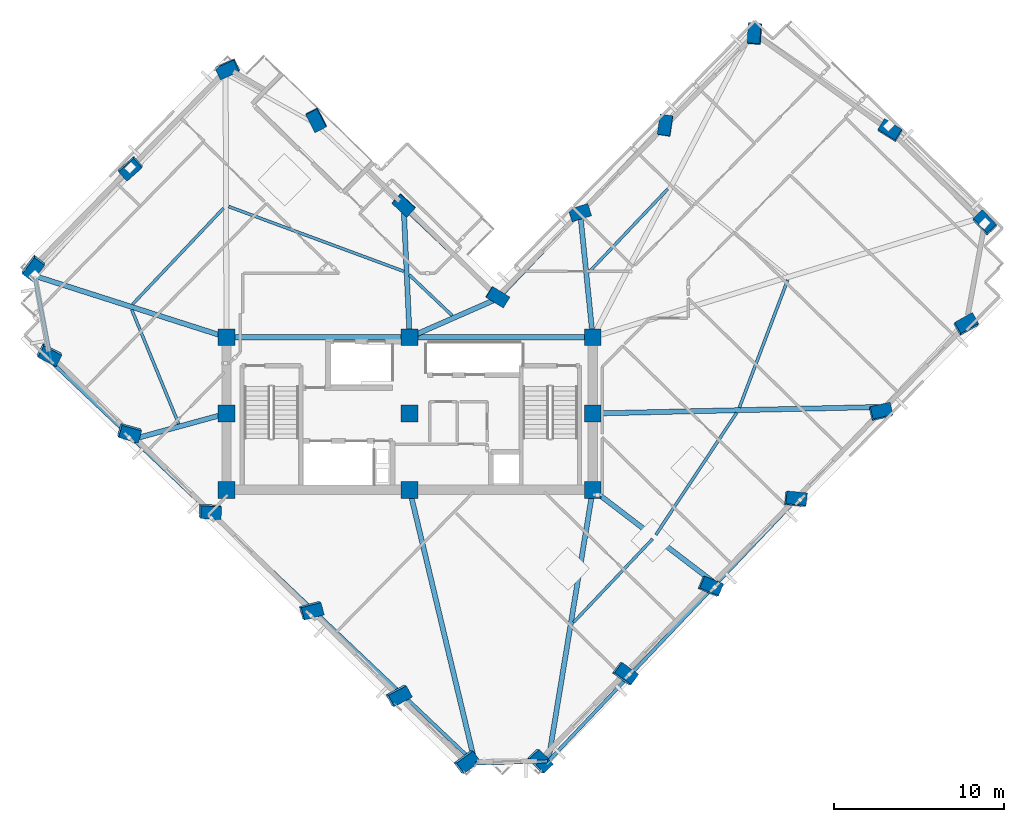
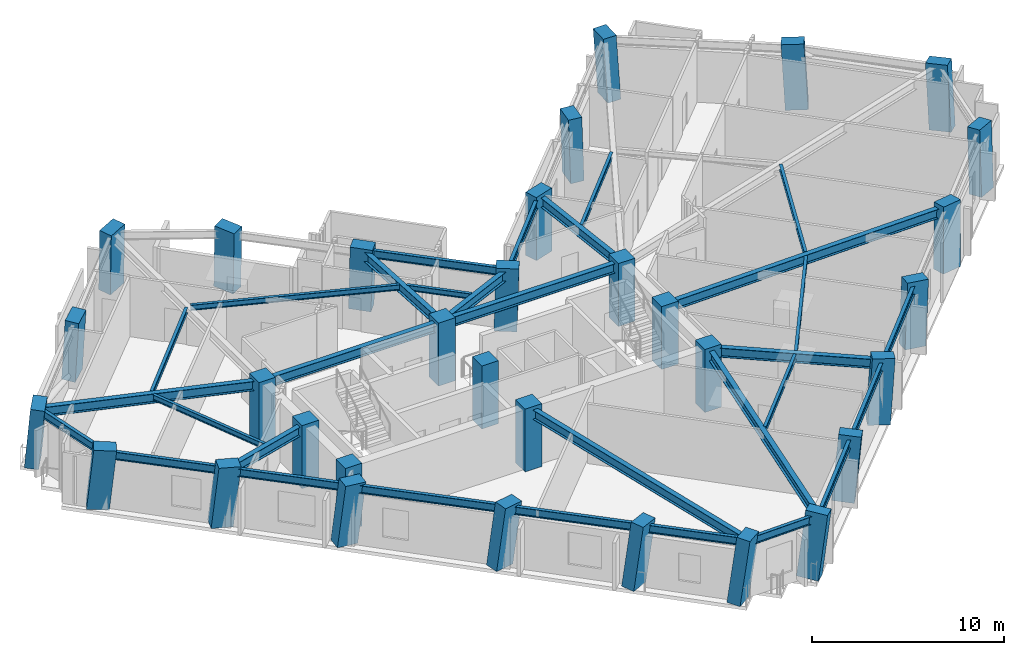
# One storey, part 1 of 12: 32 columns, 31 beams.
"""IFC4 building model written with IfcOpenShell, lengths in metres."""

from ifc_helpers import new_model, si_unit, direction, frame, origin, origin_2d, place, context, subcontext, project, spatial, rectangle, i_section, extrude, material, material_profile, profile_set, type_object, element, save


model = new_model("IFC4")

# Units and contexts
model_context = context("Model", 3, precision=1e-05, world=origin(), true_north=direction((0.0, 1.0)))
body_context = subcontext(model_context, "Body", "Model", "MODEL_VIEW")
ifc_project = project(units=[si_unit("LENGTHUNIT", "METRE"), si_unit("AREAUNIT", "SQUARE_METRE"), si_unit("VOLUMEUNIT", "CUBIC_METRE"), si_unit("PLANEANGLEUNIT", "RADIAN"), si_unit("MASSUNIT", "GRAM", prefix="KILO")], contexts=[model_context])

# Site, building, storey
site_placement = place(None, origin())
site = spatial("IfcSite", under=ifc_project, at=site_placement, CompositionType="ELEMENT")
building_placement = place(site_placement, origin())
building = spatial("IfcBuilding", under=site, at=building_placement, Name="Gaonmaruhae Medical Tower", CompositionType="ELEMENT")
storey_placement = place(building_placement, frame((0.0, 0.0, 219.199951171875)))
storey = spatial("IfcBuildingStorey", under=building, at=storey_placement, Name="L52", CompositionType="ELEMENT", Elevation=219.199951171875)

# Columns
ifc_material_1 = material(Name="Concrete C50/60", Category="concrete")
ifc_material_profile_1 = material_profile(ifc_material_1, rectangle(XDim=1.0, YDim=1.0, at=origin_2d()), Name="RC-1000x1000")
ifc_profile_set_1 = profile_set([ifc_material_profile_1], Name="Concrete C50/60")
column_type_1 = type_object("IfcColumnType", Name="CC-05 Zone 4 Core Column (RC-1000x1000)", PredefinedType="COLUMN", material=ifc_profile_set_1)
for number, where, z_axis, x_axis, name in (
    (1, (14.0, 7.800048828125, 0.0), (0.0, 0.0, 1.0), (1.0, 0.0, 0.0), "L52 Plumb Core Column CC11"),
    (2, (14.0, 12.300048828125, 0.0), (0.0, 0.0, 1.0), (1.0, 0.0, 0.0), "L52 Plumb Core Column CC12"),
    (3, (14.0, 16.800048828125, 0.0), (0.0, 0.0, 1.0), (1.0, 0.0, 0.0), "L52 Plumb Core Column CC13"),
    (4, (24.800048828125, 7.800048828125, 0.0), (0.0, 0.0, 1.0), (1.0, 0.0, 0.0), "L52 Plumb Core Column CC21"),
    (5, (24.800048828125, 12.300048828125, 0.0), (0.0, 0.0, 1.0), (1.0, 0.0, 0.0), "L52 Plumb Core Column CC22"),
    (6, (24.800048828125, 16.800048828125, 0.0), (0.0, 0.0, 1.0), (1.0, 0.0, 0.0), "L52 Plumb Core Column CC23"),
    (7, (35.60009765625, 7.800048828125, 0.0), (0.0, 0.0, 1.0), (1.0, 0.0, 0.0), "L52 Plumb Core Column CC31"),
    (8, (35.60009765625, 12.300048828125, 0.0), (0.0, 0.0, 1.0), (1.0, 0.0, 0.0), "L52 Plumb Core Column CC32"),
    (9, (35.60009765625, 16.800048828125, 0.0), (0.0, 0.0, 1.0), (1.0, 0.0, 0.0), "L52 Plumb Core Column CC33"),
):
    element("IfcColumn", number, at=place(storey_placement, frame(where, z_axis=z_axis, x_axis=x_axis)), inside=storey, type_object=column_type_1, Name=name, PredefinedType="COLUMN", context=body_context, shape_type="SweptSolid", body=[
        extrude(rectangle(XDim=1.0, YDim=1.0, at=origin_2d()), origin(), (0.0, 0.0, 1.0), 4.0),
    ])
ifc_material_profile_2 = material_profile(ifc_material_1, rectangle(XDim=1.199951171875, YDim=0.75, at=origin_2d()), Name="RC-1200x750")
ifc_profile_set_2 = profile_set([ifc_material_profile_2], Name="Concrete C50/60")
column_type_2 = type_object("IfcColumnType", Name="TC-03 Upper Raking Tube Pier Column (RC-1200x750)", PredefinedType="COLUMN", material=ifc_profile_set_2)
column_1_placement = place(storey_placement, frame((32.425537109375, -8.20068359375, 0.001953125), z_axis=(0.135579538897, -0.003692121372, 0.990759585809), x_axis=(-0.68856205619, 0.718673744243, 0.096903787908)))
element("IfcColumn", 10, at=column_1_placement, inside=storey, type_object=column_type_2, Name="L52 Perimeter Tube Column S01", PredefinedType="COLUMN", context=body_context, shape_type="SweptSolid", body=[
    extrude(rectangle(XDim=1.199951171875, YDim=0.75, at=origin_2d()), origin(), (0.0, 0.0, 1.0), 4.03369140625),
])
column_2_placement = place(storey_placement, frame((37.463134765625, -3.056396484375, 0.001953125), z_axis=(0.114504152831, 0.016869186268, 0.993279532427), x_axis=(-0.804069108855, 0.588756921853, 0.082693138502)))
element("IfcColumn", 11, at=column_2_placement, inside=storey, type_object=column_type_2, Name="L52 Perimeter Tube Column S02", PredefinedType="COLUMN", context=body_context, shape_type="SweptSolid", body=[
    extrude(rectangle(XDim=1.199951171875, YDim=0.75, at=origin_2d()), origin(), (0.0, 0.0, 1.0), 4.0234375),
])
column_3_placement = place(storey_placement, frame((42.50048828125, 2.087890625, 0.001953125), z_axis=(0.093359989654, 0.037441245851, 0.994928170996), x_axis=(-0.92020095094, 0.384792535782, 0.071867338176)))
element("IfcColumn", 12, at=column_3_placement, inside=storey, type_object=column_type_2, Name="L52 Perimeter Tube Column S03", PredefinedType="COLUMN", context=body_context, shape_type="SweptSolid", body=[
    extrude(rectangle(XDim=1.199951171875, YDim=0.75, at=origin_2d()), origin(), (0.0, 0.0, 1.0), 4.0166015625),
])
column_4_placement = place(storey_placement, frame((47.5380859375, 7.232177734375, 0.001953125), z_axis=(0.07202153767, 0.058091696347, 0.995709924088), x_axis=(-0.992992369132, 0.097957283844, 0.066109949232)))
element("IfcColumn", 13, at=column_4_placement, inside=storey, type_object=column_type_2, Name="L52 Perimeter Tube Column S04", PredefinedType="COLUMN", context=body_context, shape_type="SweptSolid", body=[
    extrude(rectangle(XDim=1.199951171875, YDim=0.75, at=origin_2d()), origin(), (0.0, 0.0, 1.0), 4.013671875),
])
column_5_placement = place(storey_placement, frame((52.57568359375, 12.376220703125, 0.001953125), z_axis=(0.05060454574, 0.078765488863, 0.995607943778), x_axis=(-0.973141214407, -0.220277069584, 0.066889382094)))
element("IfcColumn", 14, at=column_5_placement, inside=storey, type_object=column_type_2, Name="L52 Perimeter Tube Column S05", PredefinedType="COLUMN", context=body_context, shape_type="SweptSolid", body=[
    extrude(rectangle(XDim=1.199951171875, YDim=0.75, at=origin_2d()), origin(), (0.0, 0.0, 1.0), 4.013916015625),
])
column_6_placement = place(storey_placement, frame((57.61328125, 17.5205078125, 0.001953125), z_axis=(0.029166291589, 0.099286917616, 0.994631306276), x_axis=(-0.871590129907, -0.48462793103, 0.073935200785)))
element("IfcColumn", 15, at=column_6_placement, inside=storey, type_object=column_type_2, Name="L52 Perimeter Tube Column S06", PredefinedType="COLUMN", context=body_context, shape_type="SweptSolid", body=[
    extrude(rectangle(XDim=1.199951171875, YDim=0.75, at=origin_2d()), origin(), (0.0, 0.0, 1.0), 4.017822265625),
])
column_7_placement = place(storey_placement, frame((58.71728515625, 23.507568359375, 0.001953125), z_axis=(0.004435608601, 0.103598803637, 0.994609276682), x_axis=(0.684051209569, -0.725817015381, 0.07255069173)))
element("IfcColumn", 16, at=column_7_placement, inside=storey, type_object=column_type_2, Name="L52 Perimeter Tube Column E01", PredefinedType="COLUMN", context=body_context, shape_type="SweptSolid", body=[
    extrude(rectangle(XDim=1.199951171875, YDim=0.75, at=origin_2d()), origin(), (0.0, 0.0, 1.0), 4.01806640625),
])
column_8_placement = place(storey_placement, frame((53.144287109375, 28.96484375, 0.001953125), z_axis=(-0.017899445582, 0.080608387587, 0.99658511814), x_axis=(0.848634875968, -0.525814786708, 0.05777246204)))
element("IfcColumn", 17, at=column_8_placement, inside=storey, type_object=column_type_2, Name="L52 Perimeter Tube Column E02", PredefinedType="COLUMN", context=body_context, shape_type="SweptSolid", body=[
    extrude(rectangle(XDim=1.199951171875, YDim=0.75, at=origin_2d()), origin(), (0.0, 0.0, 1.0), 4.010009765625),
])
column_9_placement = place(storey_placement, frame((45.164306640625, 34.6796875, 0.001953125), z_axis=(-0.041276583012, 0.047556476735, 0.998015343176), x_axis=(-0.060997101317, -0.997123434669, 0.044991217634)))
element("IfcColumn", 18, at=column_9_placement, inside=storey, type_object=column_type_2, Name="L52 Perimeter Tube Column E03", PredefinedType="COLUMN", context=body_context, shape_type="SweptSolid", body=[
    extrude(rectangle(XDim=1.199951171875, YDim=0.75, at=origin_2d()), origin(), (0.0, 0.0, 1.0), 4.00439453125),
])
column_10_placement = place(storey_placement, frame((39.8818359375, 29.285400390625, 0.001953125), z_axis=(-0.018745380702, 0.025889385725, 0.999489044667), x_axis=(-0.147908439225, -0.988737361944, 0.022836871563)))
element("IfcColumn", 19, at=column_10_placement, inside=storey, type_object=column_type_2, Name="L52 Perimeter Tube Column EN01", PredefinedType="COLUMN", context=body_context, shape_type="SweptSolid", body=[
    extrude(rectangle(XDim=1.199951171875, YDim=0.75, at=origin_2d()), origin(), (0.0, 0.0, 1.0), 3.998291015625),
])
column_11_placement = place(storey_placement, frame((34.844482421875, 24.141357421875, 0.001953125), z_axis=(0.002687962717, 0.005131565187, 0.999983220807), x_axis=(-0.951298609313, -0.30824312721, 0.004138894343)))
element("IfcColumn", 20, at=column_11_placement, inside=storey, type_object=column_type_2, Name="L52 Perimeter Tube Column EN02", PredefinedType="COLUMN", context=body_context, shape_type="SweptSolid", body=[
    extrude(rectangle(XDim=1.199951171875, YDim=0.75, at=origin_2d()), origin(), (0.0, 0.0, 1.0), 3.996337890625),
])
column_12_placement = place(storey_placement, frame((29.981689453125, 19.175537109375, 0.001953125), z_axis=(0.023449963828, -0.014778362621, 0.999615775783), x_axis=(-0.851223767602, 0.524070492315, 0.027716719769)))
element("IfcColumn", 21, at=column_12_placement, inside=storey, type_object=column_type_2, Name="L52 Perimeter Tube Column KN01", PredefinedType="COLUMN", context=body_context, shape_type="SweptSolid", body=[
    extrude(rectangle(XDim=1.199951171875, YDim=0.75, at=origin_2d()), origin(), (0.0, 0.0, 1.0), 3.997802734375),
])
column_13_placement = place(storey_placement, frame((24.444580078125, 24.597900390625, 0.001953125), z_axis=(0.001159895474, -0.037910267855, 0.999280474258), x_axis=(-0.735519864847, 0.67698325291, 0.02653683655)))
element("IfcColumn", 22, at=column_13_placement, inside=storey, type_object=column_type_2, Name="L52 Perimeter Tube Column NE01", PredefinedType="COLUMN", context=body_context, shape_type="SweptSolid", body=[
    extrude(rectangle(XDim=1.199951171875, YDim=0.75, at=origin_2d()), origin(), (0.0, 0.0, 1.0), 3.999267578125),
])
column_14_placement = place(storey_placement, frame((19.30029296875, 29.635498046875, 0.001953125), z_axis=(-0.019510987692, -0.059325596951, 0.998047992286), x_axis=(-0.460549166871, 0.886558064773, 0.043695110491)))
element("IfcColumn", 23, at=column_14_placement, inside=storey, type_object=column_type_2, Name="L52 Perimeter Tube Column NE02", PredefinedType="COLUMN", context=body_context, shape_type="SweptSolid", body=[
    extrude(rectangle(XDim=1.199951171875, YDim=0.75, at=origin_2d()), origin(), (0.0, 0.0, 1.0), 4.004150390625),
])
column_15_placement = place(storey_placement, frame((14.071044921875, 32.65673828125, 0.001953125), z_axis=(-0.031768915191, -0.080882927755, 0.996217189184), x_axis=(0.911444671929, 0.406711055484, 0.062086450699)))
element("IfcColumn", 24, at=column_15_placement, inside=storey, type_object=column_type_2, Name="L52 Perimeter Tube Column N01", PredefinedType="COLUMN", context=body_context, shape_type="SweptSolid", body=[
    extrude(rectangle(XDim=1.199951171875, YDim=0.75, at=origin_2d()), origin(), (0.0, 0.0, 1.0), 4.011474609375),
])
column_16_placement = place(storey_placement, frame((8.333984375, 26.798095703125, 0.001953125), z_axis=(-0.007351582684, -0.104198052093, 0.994529396334), x_axis=(0.747937181643, 0.659560518907, 0.074631723923)))
element("IfcColumn", 25, at=column_16_placement, inside=storey, type_object=column_type_2, Name="L52 Perimeter Tube Column N02", PredefinedType="COLUMN", context=body_context, shape_type="SweptSolid", body=[
    extrude(rectangle(XDim=1.199951171875, YDim=0.75, at=origin_2d()), origin(), (0.0, 0.0, 1.0), 4.018310546875),
])
column_17_placement = place(storey_placement, frame((2.5966796875, 20.939453125, 0.001953125), z_axis=(0.01696374855, -0.12734928376, 0.991712857213), x_axis=(0.599980057528, 0.794731585162, 0.091791274721)))
element("IfcColumn", 26, at=column_17_placement, inside=storey, type_object=column_type_2, Name="L52 Perimeter Tube Column N03", PredefinedType="COLUMN", context=body_context, shape_type="SweptSolid", body=[
    extrude(rectangle(XDim=1.199951171875, YDim=0.75, at=origin_2d()), origin(), (0.0, 0.0, 1.0), 4.02978515625),
])
column_18_placement = place(storey_placement, frame((3.534423828125, 15.822265625, 0.001953125), z_axis=(0.037923851967, -0.123222228275, 0.991654205815), x_axis=(-0.886953136562, 0.452964918378, 0.090204857198)))
element("IfcColumn", 27, at=column_18_placement, inside=storey, type_object=column_type_2, Name="L52 Perimeter Tube Column W01", PredefinedType="COLUMN", context=body_context, shape_type="SweptSolid", body=[
    extrude(rectangle(XDim=1.199951171875, YDim=0.75, at=origin_2d()), origin(), (0.0, 0.0, 1.0), 4.030029296875),
])
column_19_placement = place(storey_placement, frame((8.25, 11.20458984375, 0.001953125), z_axis=(0.05677931028, -0.103852755554, 0.992970651675), x_axis=(-0.960175021282, 0.266844486947, 0.082812730257)))
element("IfcColumn", 28, at=column_19_placement, inside=storey, type_object=column_type_2, Name="L52 Perimeter Tube Column W02", PredefinedType="COLUMN", context=body_context, shape_type="SweptSolid", body=[
    extrude(rectangle(XDim=1.199951171875, YDim=0.75, at=origin_2d()), origin(), (0.0, 0.0, 1.0), 4.024658203125),
])
column_20_placement = place(storey_placement, frame((13.001220703125, 6.552001953125, 0.001953125), z_axis=(0.075811126539, -0.084248073367, 0.993556709618), x_axis=(-0.996094588489, 0.038827075158, 0.079297093368)))
element("IfcColumn", 29, at=column_20_placement, inside=storey, type_object=column_type_2, Name="L52 Perimeter Tube Column W03", PredefinedType="COLUMN", context=body_context, shape_type="SweptSolid", body=[
    extrude(rectangle(XDim=1.199951171875, YDim=0.75, at=origin_2d()), origin(), (0.0, 0.0, 1.0), 4.022216796875),
])
column_21_placement = place(storey_placement, frame((18.967041015625, 0.709716796875, 0.001953125), z_axis=(0.09969446356, -0.059404065627, 0.993243258685), x_axis=(-0.962713516053, -0.258049987282, 0.08119661368)))
element("IfcColumn", 30, at=column_21_placement, inside=storey, type_object=column_type_2, Name="L52 Perimeter Tube Column W04", PredefinedType="COLUMN", context=body_context, shape_type="SweptSolid", body=[
    extrude(rectangle(XDim=1.199951171875, YDim=0.75, at=origin_2d()), origin(), (0.0, 0.0, 1.0), 4.0234375),
])
column_22_placement = place(storey_placement, frame((24.111328125, -4.327880859375, 0.001953125), z_axis=(0.120058037133, -0.037999186917, 0.992039379014), x_axis=(-0.877333571548, -0.471723351217, 0.088107230987)))
element("IfcColumn", 31, at=column_22_placement, inside=storey, type_object=column_type_2, Name="L52 Perimeter Tube Column W05", PredefinedType="COLUMN", context=body_context, shape_type="SweptSolid", body=[
    extrude(rectangle(XDim=1.199951171875, YDim=0.75, at=origin_2d()), origin(), (0.0, 0.0, 1.0), 4.0283203125),
])
column_23_placement = place(storey_placement, frame((28.1123046875, -8.245849609375, 0.001953125), z_axis=(0.135846339409, -0.021420759087, 0.990498320619), x_axis=(-0.795842854711, -0.597809045581, 0.096221076834)))
element("IfcColumn", 32, at=column_23_placement, inside=storey, type_object=column_type_2, Name="L52 Perimeter Tube Column W06", PredefinedType="COLUMN", context=body_context, shape_type="SweptSolid", body=[
    extrude(rectangle(XDim=1.199951171875, YDim=0.75, at=origin_2d()), origin(), (0.0, 0.0, 1.0), 4.03466796875),
])

# Beams
ifc_material_2 = material(Name="Steel SM355", Category="steel")
ifc_material_profile_3 = material_profile(ifc_material_2, i_section(OverallWidth=0.175048828125, OverallDepth=0.35009765625, WebThickness=0.007080078125, FlangeThickness=0.010986328125, FilletRadius=0.012939453125, at=origin_2d()), Name="H-350x175x7x11")
ifc_profile_set_3 = profile_set([ifc_material_profile_3], Name="Steel SM355")
beam_type_1 = type_object("IfcBeamType", Name="FJ-02 Upper Zone Ward Floor Joist (H-350x175x7x11)", PredefinedType="JOIST", material=ifc_profile_set_3)
beam_1_placement = place(storey_placement, frame((34.47412109375, -0.00927734375, 3.60498046875), z_axis=(0.687753650396, 0.72594415513, 0.0), x_axis=(-0.72594415513, 0.687753650396, 0.0)))
element("IfcBeam", 33, at=beam_1_placement, inside=storey, type_object=beam_type_1, Name="L52 Secondary Floor Joist FJ01", PredefinedType="JOIST", context=body_context, shape_type="SweptSolid", body=[
    extrude(i_section(OverallWidth=0.175048828125, OverallDepth=0.35009765625, WebThickness=0.007080078125, FlangeThickness=0.010986328125, FilletRadius=0.012939453125, at=origin_2d()), origin(), (0.0, 0.0, 1.0), 6.769775390625),
])
beam_2_placement = place(storey_placement, frame((39.32421875, 5.149658203125, 3.60498046875), z_axis=(0.552142826755, 0.833749542047, 0.0), x_axis=(-0.833749542047, 0.552142826755, 0.0)))
element("IfcBeam", 34, at=beam_2_placement, inside=storey, type_object=beam_type_1, Name="L52 Secondary Floor Joist FJ02", PredefinedType="JOIST", context=body_context, shape_type="SweptSolid", body=[
    extrude(i_section(OverallWidth=0.175048828125, OverallDepth=0.35009765625, WebThickness=0.007080078125, FlangeThickness=0.010986328125, FilletRadius=0.012939453125, at=origin_2d()), origin(), (0.0, 0.0, 1.0), 8.622802734375),
])
beam_3_placement = place(storey_placement, frame((44.248779296875, 12.653076171875, 3.60498046875), z_axis=(0.354090778373, 0.935211056752, 0.0), x_axis=(-0.935211056752, 0.354090778373, 0.0)))
element("IfcBeam", 35, at=beam_3_placement, inside=storey, type_object=beam_type_1, Name="L52 Secondary Floor Joist FJ03", PredefinedType="JOIST", context=body_context, shape_type="SweptSolid", body=[
    extrude(i_section(OverallWidth=0.175048828125, OverallDepth=0.35009765625, WebThickness=0.007080078125, FlangeThickness=0.010986328125, FilletRadius=0.012939453125, at=origin_2d()), origin(), (0.0, 0.0, 1.0), 8.046875),
])
beam_4_placement = place(storey_placement, frame((40.02392578125, 25.544189453125, 3.60498046875), z_axis=(-0.687717641234, -0.725978268225, 0.0), x_axis=(0.725978268225, -0.687717641234, 0.0)))
element("IfcBeam", 36, at=beam_4_placement, inside=storey, type_object=beam_type_1, Name="L52 Secondary Floor Joist FJ05", PredefinedType="JOIST", context=body_context, shape_type="SweptSolid", body=[
    extrude(i_section(OverallWidth=0.175048828125, OverallDepth=0.35009765625, WebThickness=0.007080078125, FlangeThickness=0.010986328125, FilletRadius=0.012939453125, at=origin_2d()), origin(), (0.0, 0.0, 1.0), 6.770263671875),
])
beam_5_placement = place(storey_placement, frame((27.315185546875, 18.07421875, 3.60498046875), z_axis=(-0.725978462864, 0.687717435767, 0.0), x_axis=(-0.687717435767, -0.725978462864, 0.0)))
element("IfcBeam", 37, at=beam_5_placement, inside=storey, type_object=beam_type_1, Name="L52 Secondary Floor Joist FJ07", PredefinedType="JOIST", context=body_context, shape_type="SweptSolid", body=[
    extrude(i_section(OverallWidth=0.175048828125, OverallDepth=0.35009765625, WebThickness=0.007080078125, FlangeThickness=0.010986328125, FilletRadius=0.012939453125, at=origin_2d()), origin(), (0.0, 0.0, 1.0), 3.48388671875),
])
beam_6_placement = place(storey_placement, frame((24.46630859375, 20.681884765625, 3.60498046875), z_axis=(-0.937828612141, 0.347098680853, 0.0), x_axis=(-0.347098680853, -0.937828612141, 0.0)))
element("IfcBeam", 38, at=beam_6_placement, inside=storey, type_object=beam_type_1, Name="L52 Secondary Floor Joist FJ08", PredefinedType="JOIST", context=body_context, shape_type="SweptSolid", body=[
    extrude(i_section(OverallWidth=0.175048828125, OverallDepth=0.35009765625, WebThickness=0.007080078125, FlangeThickness=0.010986328125, FilletRadius=0.012939453125, at=origin_2d()), origin(), (0.0, 0.0, 1.0), 11.02392578125),
])
beam_7_placement = place(storey_placement, frame((13.818359375, 24.404052734375, 3.60498046875), z_axis=(-0.687718616619, -0.725977344244, 0.0), x_axis=(0.725977344244, -0.687718616619, 0.0)))
element("IfcBeam", 39, at=beam_7_placement, inside=storey, type_object=beam_type_1, Name="L52 Secondary Floor Joist FJ09", PredefinedType="JOIST", context=body_context, shape_type="SweptSolid", body=[
    extrude(i_section(OverallWidth=0.175048828125, OverallDepth=0.35009765625, WebThickness=0.007080078125, FlangeThickness=0.010986328125, FilletRadius=0.012939453125, at=origin_2d()), origin(), (0.0, 0.0, 1.0), 7.804443359375),
])
beam_8_placement = place(storey_placement, frame((8.409423828125, 18.426025390625, 3.60498046875), z_axis=(0.380277790261, -0.92487231672, 0.0), x_axis=(0.92487231672, 0.380277790261, 0.0)))
element("IfcBeam", 40, at=beam_8_placement, inside=storey, type_object=beam_type_1, Name="L52 Secondary Floor Joist FJ10", PredefinedType="JOIST", context=body_context, shape_type="SweptSolid", body=[
    extrude(i_section(OverallWidth=0.175048828125, OverallDepth=0.35009765625, WebThickness=0.007080078125, FlangeThickness=0.010986328125, FilletRadius=0.012939453125, at=origin_2d()), origin(), (0.0, 0.0, 1.0), 7.284912109375),
])
ifc_material_3 = material(Name="Steel SM420", Category="steel")
ifc_material_profile_4 = material_profile(ifc_material_3, i_section(OverallWidth=0.300048828125, OverallDepth=0.60009765625, WebThickness=0.011962890625, FlangeThickness=0.02001953125, FilletRadius=0.012939453125, at=origin_2d()), Name="H-600x300x12x20")
ifc_profile_set_4 = profile_set([ifc_material_profile_4], Name="Steel SM420")
beam_type_2 = type_object("IfcBeamType", Name="PG-04 Zone 4 Radial Floor Girder (H-600x300x12x20)", PredefinedType="BEAM", material=ifc_profile_set_4)
for number, where, z_axis, x_axis, name in (
    (41, (14.050048828125, 16.800048828125, 3.47998046875), (1.0, 0.0, 0.0), (0.0, 1.0, 0.0), "L52 Beam BM-L52-CG-N1"),
    (42, (24.85009765625, 16.800048828125, 3.47998046875), (1.0, 0.0, 0.0), (0.0, 1.0, 0.0), "L52 Beam BM-L52-CG-N2"),
):
    element("IfcBeam", number, at=place(storey_placement, frame(where, z_axis=z_axis, x_axis=x_axis)), inside=storey, type_object=beam_type_2, Name=name, PredefinedType="BEAM", context=body_context, shape_type="SweptSolid", body=[
        extrude(i_section(OverallWidth=0.300048828125, OverallDepth=0.60009765625, WebThickness=0.011962890625, FlangeThickness=0.02001953125, FilletRadius=0.012939453125, at=origin_2d()), origin(), (0.0, 0.0, 1.0), 10.699951171875),
    ])
beam_9_placement = place(storey_placement, frame((35.591796875, 7.750732421875, 3.47998046875), z_axis=(-0.161880138762, -0.986810427932, 0.0), x_axis=(0.986810427932, -0.161880138762, 0.0)))
element("IfcBeam", 43, at=beam_9_placement, inside=storey, type_object=beam_type_2, Name="L52 Radial Primary Girder S01", PredefinedType="BEAM", context=body_context, shape_type="SweptSolid", body=[
    extrude(i_section(OverallWidth=0.300048828125, OverallDepth=0.60009765625, WebThickness=0.011962890625, FlangeThickness=0.02001953125, FilletRadius=0.012939453125, at=origin_2d()), origin(), (0.0, 0.0, 1.0), 16.129638671875),
])
beam_10_placement = place(storey_placement, frame((35.6396484375, 7.76953125, 3.47998046875), z_axis=(0.794480990552, -0.607289021514, 0.0), x_axis=(0.607289021514, 0.794480990552, 0.0)))
element("IfcBeam", 44, at=beam_10_placement, inside=storey, type_object=beam_type_2, Name="L52 Radial Primary Girder S03", PredefinedType="BEAM", context=body_context, shape_type="SweptSolid", body=[
    extrude(i_section(OverallWidth=0.300048828125, OverallDepth=0.60009765625, WebThickness=0.011962890625, FlangeThickness=0.02001953125, FilletRadius=0.012939453125, at=origin_2d()), origin(), (0.0, 0.0, 1.0), 9.057861328125),
])
beam_11_placement = place(storey_placement, frame((35.64990234375, 12.301025390625, 3.47998046875), z_axis=(0.999738875957, 0.02285125597, 0.0), x_axis=(-0.02285125597, 0.999738875957, 0.0)))
element("IfcBeam", 45, at=beam_11_placement, inside=storey, type_object=beam_type_2, Name="L52 Radial Primary Girder S05", PredefinedType="BEAM", context=body_context, shape_type="SweptSolid", body=[
    extrude(i_section(OverallWidth=0.300048828125, OverallDepth=0.60009765625, WebThickness=0.011962890625, FlangeThickness=0.02001953125, FilletRadius=0.012939453125, at=origin_2d()), origin(), (0.0, 0.0, 1.0), 17.08349609375),
])
beam_12_placement = place(storey_placement, frame((35.594970703125, 16.849853515625, 3.47998046875), z_axis=(-0.100672606314, 0.994919607977, 0.0), x_axis=(-0.994919607977, -0.100672606314, 0.0)))
element("IfcBeam", 46, at=beam_12_placement, inside=storey, type_object=beam_type_2, Name="L52 Radial Primary Girder EN02", PredefinedType="BEAM", context=body_context, shape_type="SweptSolid", body=[
    extrude(i_section(OverallWidth=0.300048828125, OverallDepth=0.60009765625, WebThickness=0.011962890625, FlangeThickness=0.02001953125, FilletRadius=0.012939453125, at=origin_2d()), origin(), (0.0, 0.0, 1.0), 7.299560546875),
])
beam_13_placement = place(storey_placement, frame((24.845703125, 16.820068359375, 3.47998046875), z_axis=(0.915616155726, 0.402053547894, 0.0), x_axis=(-0.402053547894, 0.915616155726, 0.0)))
element("IfcBeam", 47, at=beam_13_placement, inside=storey, type_object=beam_type_2, Name="L52 Radial Primary Girder KN01", PredefinedType="BEAM", context=body_context, shape_type="SweptSolid", body=[
    extrude(i_section(OverallWidth=0.300048828125, OverallDepth=0.60009765625, WebThickness=0.011962890625, FlangeThickness=0.02001953125, FilletRadius=0.012939453125, at=origin_2d()), origin(), (0.0, 0.0, 1.0), 5.661865234375),
])
beam_14_placement = place(storey_placement, frame((24.797607421875, 16.849853515625, 3.47998046875), z_axis=(-0.04582692467, 0.998949394602, 0.0), x_axis=(-0.998949394602, -0.04582692467, 0.0)))
element("IfcBeam", 48, at=beam_14_placement, inside=storey, type_object=beam_type_2, Name="L52 Radial Primary Girder NE01", PredefinedType="BEAM", context=body_context, shape_type="SweptSolid", body=[
    extrude(i_section(OverallWidth=0.300048828125, OverallDepth=0.60009765625, WebThickness=0.011962890625, FlangeThickness=0.02001953125, FilletRadius=0.012939453125, at=origin_2d()), origin(), (0.0, 0.0, 1.0), 7.554443359375),
])
beam_15_placement = place(storey_placement, frame((13.952392578125, 16.815185546875, 3.47998046875), z_axis=(-0.952449126129, 0.304697656927, 0.0), x_axis=(-0.304697656927, -0.952449126129, 0.0)))
element("IfcBeam", 49, at=beam_15_placement, inside=storey, type_object=beam_type_2, Name="L52 Radial Primary Girder N03", PredefinedType="BEAM", context=body_context, shape_type="SweptSolid", body=[
    extrude(i_section(OverallWidth=0.300048828125, OverallDepth=0.60009765625, WebThickness=0.011962890625, FlangeThickness=0.02001953125, FilletRadius=0.012939453125, at=origin_2d()), origin(), (0.0, 0.0, 1.0), 11.80078125),
])
beam_16_placement = place(storey_placement, frame((13.95166015625, 12.286865234375, 3.47998046875), z_axis=(-0.964410390789, -0.264409905521, 0.0), x_axis=(0.264409905521, -0.964410390789, 0.0)))
element("IfcBeam", 50, at=beam_16_placement, inside=storey, type_object=beam_type_2, Name="L52 Radial Primary Girder W02", PredefinedType="BEAM", context=body_context, shape_type="SweptSolid", body=[
    extrude(i_section(OverallWidth=0.300048828125, OverallDepth=0.60009765625, WebThickness=0.011962890625, FlangeThickness=0.02001953125, FilletRadius=0.012939453125, at=origin_2d()), origin(), (0.0, 0.0, 1.0), 5.625),
])
beam_17_placement = place(storey_placement, frame((24.8115234375, 7.75146484375, 3.47998046875), z_axis=(0.232754072591, -0.972535624896, 0.0), x_axis=(0.972535624896, 0.232754072591, 0.0)))
element("IfcBeam", 51, at=beam_17_placement, inside=storey, type_object=beam_type_2, Name="L52 Radial Primary Girder W06", PredefinedType="BEAM", context=body_context, shape_type="SweptSolid", body=[
    extrude(i_section(OverallWidth=0.300048828125, OverallDepth=0.60009765625, WebThickness=0.011962890625, FlangeThickness=0.02001953125, FilletRadius=0.012939453125, at=origin_2d()), origin(), (0.0, 0.0, 1.0), 16.488037109375),
])
ifc_material_profile_5 = material_profile(ifc_material_2, i_section(OverallWidth=0.199951171875, OverallDepth=0.5, WebThickness=0.010009765625, FlangeThickness=0.01611328125, FilletRadius=0.012939453125, at=origin_2d()), Name="H-500x200x10x16")
ifc_profile_set_5 = profile_set([ifc_material_profile_5], Name="Steel SM355")
beam_type_3 = type_object("IfcBeamType", Name="SP-02 Upper Perimeter Spandrel Beam (H-500x200x10x16)", PredefinedType="SPANDREL", material=ifc_profile_set_5)
beam_18_placement = place(storey_placement, frame((33.0, -8.1865234375, 3.530029296875), z_axis=(0.687732283788, 0.725964397086, 0.0), x_axis=(-0.725964397086, 0.687732283788, 0.0)))
element("IfcBeam", 52, at=beam_18_placement, inside=storey, type_object=beam_type_3, Name="L52 Perimeter Spandrel Beam S01-S02", PredefinedType="SPANDREL", context=body_context, shape_type="SweptSolid", body=[
    extrude(i_section(OverallWidth=0.199951171875, OverallDepth=0.5, WebThickness=0.010009765625, FlangeThickness=0.01611328125, FilletRadius=0.012939453125, at=origin_2d()), origin(), (0.0, 0.0, 1.0), 7.1201171875),
])
for number, where, z_axis, x_axis, name in (
    (53, (37.95166015625, -2.95947265625, 3.530029296875), (0.687714212069, 0.72598151665, 0.0), (-0.72598151665, 0.687714212069, 0.0), "L52 Perimeter Spandrel Beam S02-S03"),
    (54, (42.9033203125, 2.267578125, 3.530029296875), (0.687714212069, 0.72598151665, 0.0), (-0.72598151665, 0.687714212069, 0.0), "L52 Perimeter Spandrel Beam S03-S04"),
):
    element("IfcBeam", number, at=place(storey_placement, frame(where, z_axis=z_axis, x_axis=x_axis)), inside=storey, type_object=beam_type_3, Name=name, PredefinedType="SPANDREL", context=body_context, shape_type="SweptSolid", body=[
        extrude(i_section(OverallWidth=0.199951171875, OverallDepth=0.5, WebThickness=0.010009765625, FlangeThickness=0.01611328125, FilletRadius=0.012939453125, at=origin_2d()), origin(), (0.0, 0.0, 1.0), 7.119873046875),
    ])
beam_19_placement = place(storey_placement, frame((34.82763671875, 24.1328125, 3.530029296875), z_axis=(-0.687728876197, -0.725967625204, 0.0), x_axis=(0.725967625204, -0.687728876197, 0.0)))
element("IfcBeam", 55, at=beam_19_placement, inside=storey, type_object=beam_type_3, Name="L52 Perimeter Spandrel Beam EN02-KN01", PredefinedType="SPANDREL", context=body_context, shape_type="SweptSolid", body=[
    extrude(i_section(OverallWidth=0.199951171875, OverallDepth=0.5, WebThickness=0.010009765625, FlangeThickness=0.01611328125, FilletRadius=0.012939453125, at=origin_2d()), origin(), (0.0, 0.0, 1.0), 6.869873046875),
])
beam_20_placement = place(storey_placement, frame((30.04638671875, 19.14404296875, 3.530029296875), z_axis=(-0.725978613197, 0.68771727707, 0.0), x_axis=(-0.68771727707, -0.725978613197, 0.0)))
element("IfcBeam", 56, at=beam_20_placement, inside=storey, type_object=beam_type_3, Name="L52 Perimeter Spandrel Beam KN01-NE01", PredefinedType="SPANDREL", context=body_context, shape_type="SweptSolid", body=[
    extrude(i_section(OverallWidth=0.199951171875, OverallDepth=0.5, WebThickness=0.010009765625, FlangeThickness=0.01611328125, FilletRadius=0.012939453125, at=origin_2d()), origin(), (0.0, 0.0, 1.0), 7.669921875),
])
beam_21_placement = place(storey_placement, frame((2.6728515625, 20.386962890625, 3.530029296875), z_axis=(0.196510247015, -0.980501770941, 0.0), x_axis=(0.980501770941, 0.196510247015, 0.0)))
element("IfcBeam", 57, at=beam_21_placement, inside=storey, type_object=beam_type_3, Name="L52 Perimeter Spandrel Beam N03-W01", PredefinedType="SPANDREL", context=body_context, shape_type="SweptSolid", body=[
    extrude(i_section(OverallWidth=0.199951171875, OverallDepth=0.5, WebThickness=0.010009765625, FlangeThickness=0.01611328125, FilletRadius=0.012939453125, at=origin_2d()), origin(), (0.0, 0.0, 1.0), 5.122314453125),
])
beam_22_placement = place(storey_placement, frame((3.71630859375, 15.2978515625, 3.530029296875), z_axis=(0.725982201864, -0.687713488727, 0.0), x_axis=(0.687713488727, 0.725982201864, 0.0)))
element("IfcBeam", 58, at=beam_22_placement, inside=storey, type_object=beam_type_3, Name="L52 Perimeter Spandrel Beam W01-W02", PredefinedType="SPANDREL", context=body_context, shape_type="SweptSolid", body=[
    extrude(i_section(OverallWidth=0.199951171875, OverallDepth=0.5, WebThickness=0.010009765625, FlangeThickness=0.01611328125, FilletRadius=0.012939453125, at=origin_2d()), origin(), (0.0, 0.0, 1.0), 6.52001953125),
])
beam_23_placement = place(storey_placement, frame((8.5078125, 10.7587890625, 3.530029296875), z_axis=(0.725967330942, -0.687729186821, 0.0), x_axis=(0.687729186821, 0.725967330942, 0.0)))
element("IfcBeam", 59, at=beam_23_placement, inside=storey, type_object=beam_type_3, Name="L52 Perimeter Spandrel Beam W02-W03", PredefinedType="SPANDREL", context=body_context, shape_type="SweptSolid", body=[
    extrude(i_section(OverallWidth=0.199951171875, OverallDepth=0.5, WebThickness=0.010009765625, FlangeThickness=0.01611328125, FilletRadius=0.012939453125, at=origin_2d()), origin(), (0.0, 0.0, 1.0), 6.56982421875),
])
beam_24_placement = place(storey_placement, frame((13.33544921875, 6.185546875, 3.530029296875), z_axis=(0.725977506831, -0.687718444987, 0.0), x_axis=(0.687718444987, 0.725977506831, 0.0)))
element("IfcBeam", 60, at=beam_24_placement, inside=storey, type_object=beam_type_3, Name="L52 Perimeter Spandrel Beam W03-W04", PredefinedType="SPANDREL", context=body_context, shape_type="SweptSolid", body=[
    extrude(i_section(OverallWidth=0.199951171875, OverallDepth=0.5, WebThickness=0.010009765625, FlangeThickness=0.01611328125, FilletRadius=0.012939453125, at=origin_2d()), origin(), (0.0, 0.0, 1.0), 8.27001953125),
])
beam_25_placement = place(storey_placement, frame((19.397216796875, 0.443115234375, 3.530029296875), z_axis=(0.725964397086, -0.687732283788, 0.0), x_axis=(0.687732283788, 0.725964397086, 0.0)))
element("IfcBeam", 61, at=beam_25_placement, inside=storey, type_object=beam_type_3, Name="L52 Perimeter Spandrel Beam W04-W05", PredefinedType="SPANDREL", context=body_context, shape_type="SweptSolid", body=[
    extrude(i_section(OverallWidth=0.199951171875, OverallDepth=0.5, WebThickness=0.010009765625, FlangeThickness=0.01611328125, FilletRadius=0.012939453125, at=origin_2d()), origin(), (0.0, 0.0, 1.0), 7.1201171875),
])
beam_26_placement = place(storey_placement, frame((24.624267578125, -4.508544921875, 3.530029296875), z_axis=(0.725998007671, -0.687696803001, 0.0), x_axis=(0.687696803001, 0.725998007671, 0.0)))
element("IfcBeam", 62, at=beam_26_placement, inside=storey, type_object=beam_type_3, Name="L52 Perimeter Spandrel Beam W05-W06", PredefinedType="SPANDREL", context=body_context, shape_type="SweptSolid", body=[
    extrude(i_section(OverallWidth=0.199951171875, OverallDepth=0.5, WebThickness=0.010009765625, FlangeThickness=0.01611328125, FilletRadius=0.012939453125, at=origin_2d()), origin(), (0.0, 0.0, 1.0), 5.52001953125),
])
beam_27_placement = place(storey_placement, frame((28.70068359375, -8.3310546875, 3.530029296875), z_axis=(0.999634169646, 0.027046753523, 0.0), x_axis=(-0.027046753523, 0.999634169646, 0.0)))
element("IfcBeam", 63, at=beam_27_placement, inside=storey, type_object=beam_type_3, Name="L52 Perimeter Spandrel Beam W06-S01", PredefinedType="SPANDREL", context=body_context, shape_type="SweptSolid", body=[
    extrude(i_section(OverallWidth=0.199951171875, OverallDepth=0.5, WebThickness=0.010009765625, FlangeThickness=0.01611328125, FilletRadius=0.012939453125, at=origin_2d()), origin(), (0.0, 0.0, 1.0), 4.2333984375),
])

save(model, "model.ifc")
